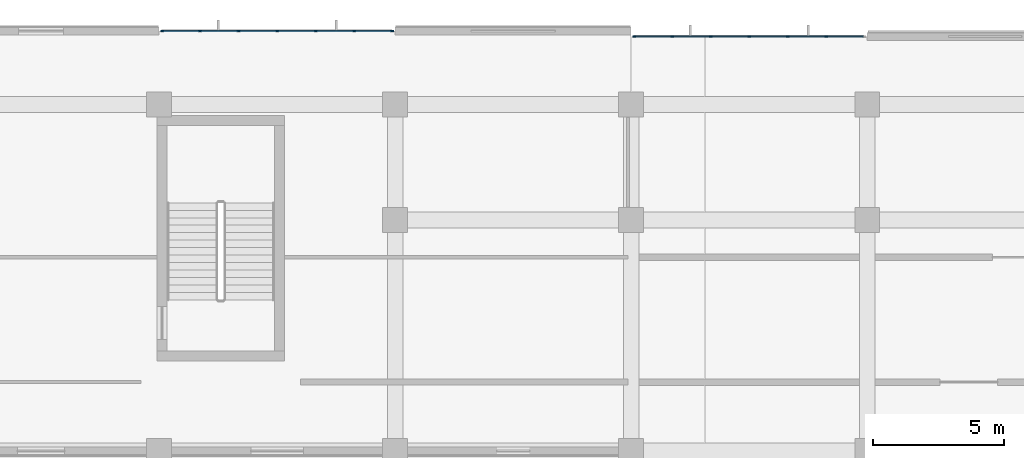
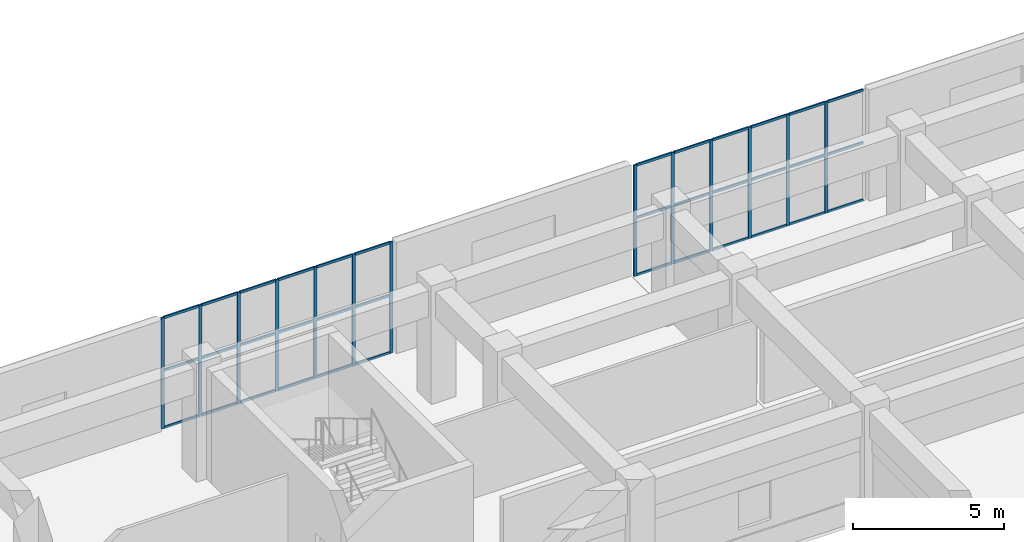
# One storey, part 33 of 86: 49 members, 2 elements without a shape of their own.
"""IFC4 building model written with IfcOpenShell, lengths in metres."""

from ifc_helpers import new_model, si_unit, direction, frame, origin, origin_2d, place, context, subcontext, project, spatial, rectangle, extrude, material, layer, layer_set, material_profile, profile_set, type_object, element, aggregate, save


model = new_model("IFC4")

# Units and contexts
model_context = context("Model", 3, precision=1e-05, world=origin(), true_north=direction((0.0, 1.0)))
body_context = subcontext(model_context, "Body", "Model", "MODEL_VIEW")
ifc_project = project(units=[si_unit("LENGTHUNIT", "METRE"), si_unit("AREAUNIT", "SQUARE_METRE"), si_unit("VOLUMEUNIT", "CUBIC_METRE"), si_unit("PLANEANGLEUNIT", "RADIAN"), si_unit("MASSUNIT", "GRAM", prefix="KILO")], contexts=[model_context])

# Site, building, storey
site_placement = place(None, origin())
site = spatial("IfcSite", under=ifc_project, at=site_placement, CompositionType="ELEMENT")
building_placement = place(site_placement, origin())
building = spatial("IfcBuilding", under=site, at=building_placement, Name="Cendralis Terraced Arcade", CompositionType="ELEMENT")
storey_placement = place(building_placement, frame((0.0, 0.0, 5.39990234375)))
storey = spatial("IfcBuildingStorey", under=building, at=storey_placement, Name="L01", CompositionType="ELEMENT", Elevation=5.39990234375)

# Curtain wall, members
ifc_material = material(Name="Anodised aluminium EN AW-6063 T6", Category="aluminium")
ifc_layer = layer(ifc_material, 0.1201171875, Name="CW-STORE-B")
ifc_layer_set = layer_set([ifc_layer], Name="Anodised aluminium EN AW-6063 T6")
curtain_wall_type = type_object("IfcCurtainWallType", Name="CW-STORE-B", PredefinedType="USERDEFINED", material=ifc_layer_set)
curtain_wall_1_placement = place(storey_placement, origin())
curtain_wall_1 = element("IfcCurtainWall", 1, at=curtain_wall_1_placement, inside=storey, type_object=curtain_wall_type, Name="Exterior Storefront Glazing CW-L01-0053", ObjectType="STOREFRONT GLAZING", PredefinedType="USERDEFINED")
ifc_material_profile_1 = material_profile(ifc_material, rectangle(XDim=0.054931640625, YDim=0.1201171875, at=origin_2d()), Name="ALU-MUL-55x120")
ifc_profile_set_1 = profile_set([ifc_material_profile_1], Name="Anodised aluminium EN AW-6063 T6")
member_type_1 = type_object("IfcMemberType", Name="CW-STORE-B-MUL", PredefinedType="MULLION", material=ifc_profile_set_1)
member_1_placement = place(storey_placement, frame((103.3173828125, 114.39990234375, 0.0), z_axis=(0.0, 0.0, 1.0), x_axis=(0.0, 1.0, 0.0)))
member_1 = element("IfcMember", 2, at=member_1_placement, type_object=member_type_1, Name="CW-S2 mullion 1", PredefinedType="MULLION", context=body_context, shape_type="SweptSolid", body=[
    extrude(rectangle(XDim=0.054931640625, YDim=0.1201171875, at=origin_2d()), origin(), (0.0, 0.0, 1.0), 4.505126953125),
])
member_2_placement = place(storey_placement, frame((104.760009765625, 114.39990234375, 0.0), z_axis=(0.0, 0.0, 1.0), x_axis=(0.0, 1.0, 0.0)))
member_2 = element("IfcMember", 3, at=member_2_placement, type_object=member_type_1, Name="CW-S2 mullion 2", PredefinedType="MULLION", context=body_context, shape_type="SweptSolid", body=[
    extrude(rectangle(XDim=0.054931640625, YDim=0.1201171875, at=origin_2d()), origin(), (0.0, 0.0, 1.0), 4.505126953125),
])
member_3_placement = place(storey_placement, frame((106.22998046875, 114.39990234375, 0.0), z_axis=(0.0, 0.0, 1.0), x_axis=(0.0, 1.0, 0.0)))
member_3 = element("IfcMember", 4, at=member_3_placement, type_object=member_type_1, Name="CW-S2 mullion 3", PredefinedType="MULLION", context=body_context, shape_type="SweptSolid", body=[
    extrude(rectangle(XDim=0.054931640625, YDim=0.1201171875, at=origin_2d()), origin(), (0.0, 0.0, 1.0), 4.505126953125),
])
member_4_placement = place(storey_placement, frame((107.699951171875, 114.39990234375, 0.0), z_axis=(0.0, 0.0, 1.0), x_axis=(0.0, 1.0, 0.0)))
member_4 = element("IfcMember", 5, at=member_4_placement, type_object=member_type_1, Name="CW-S2 mullion 4", PredefinedType="MULLION", context=body_context, shape_type="SweptSolid", body=[
    extrude(rectangle(XDim=0.054931640625, YDim=0.1201171875, at=origin_2d()), origin(), (0.0, 0.0, 1.0), 4.505126953125),
])
member_5_placement = place(storey_placement, frame((109.169921875, 114.39990234375, 0.0), z_axis=(0.0, 0.0, 1.0), x_axis=(0.0, 1.0, 0.0)))
member_5 = element("IfcMember", 6, at=member_5_placement, type_object=member_type_1, Name="CW-S2 mullion 5", PredefinedType="MULLION", context=body_context, shape_type="SweptSolid", body=[
    extrude(rectangle(XDim=0.054931640625, YDim=0.1201171875, at=origin_2d()), origin(), (0.0, 0.0, 1.0), 4.505126953125),
])
member_6_placement = place(storey_placement, frame((110.639892578125, 114.39990234375, 0.0), z_axis=(0.0, 0.0, 1.0), x_axis=(0.0, 1.0, 0.0)))
member_6 = element("IfcMember", 7, at=member_6_placement, type_object=member_type_1, Name="CW-S2 mullion 6", PredefinedType="MULLION", context=body_context, shape_type="SweptSolid", body=[
    extrude(rectangle(XDim=0.054931640625, YDim=0.1201171875, at=origin_2d()), origin(), (0.0, 0.0, 1.0), 4.505126953125),
])
member_7_placement = place(storey_placement, frame((112.08251953125, 114.39990234375, 0.0), z_axis=(0.0, 0.0, 1.0), x_axis=(0.0, 1.0, 0.0)))
member_7 = element("IfcMember", 8, at=member_7_placement, type_object=member_type_1, Name="CW-S2 mullion 7", PredefinedType="MULLION", context=body_context, shape_type="SweptSolid", body=[
    extrude(rectangle(XDim=0.054931640625, YDim=0.1201171875, at=origin_2d()), origin(), (0.0, 0.0, 1.0), 4.505126953125),
])

curtain_wall_2_placement = place(storey_placement, origin())
curtain_wall_2 = element("IfcCurtainWall", 9, at=curtain_wall_2_placement, inside=storey, type_object=curtain_wall_type, Name="Exterior Storefront Glazing CW-L01-0054", ObjectType="STOREFRONT GLAZING", PredefinedType="USERDEFINED")
member_8_placement = place(storey_placement, frame((121.3173828125, 114.199951171875, 0.0), z_axis=(0.0, 0.0, 1.0), x_axis=(0.0, 1.0, 0.0)))
member_8 = element("IfcMember", 10, at=member_8_placement, type_object=member_type_1, Name="CW-S2 mullion 1", PredefinedType="MULLION", context=body_context, shape_type="SweptSolid", body=[
    extrude(rectangle(XDim=0.054931640625, YDim=0.1201171875, at=origin_2d()), origin(), (0.0, 0.0, 1.0), 4.505126953125),
])
member_9_placement = place(storey_placement, frame((122.760009765625, 114.199951171875, 0.0), z_axis=(0.0, 0.0, 1.0), x_axis=(0.0, 1.0, 0.0)))
member_9 = element("IfcMember", 11, at=member_9_placement, type_object=member_type_1, Name="CW-S2 mullion 2", PredefinedType="MULLION", context=body_context, shape_type="SweptSolid", body=[
    extrude(rectangle(XDim=0.054931640625, YDim=0.1201171875, at=origin_2d()), origin(), (0.0, 0.0, 1.0), 4.505126953125),
])
member_10_placement = place(storey_placement, frame((124.22998046875, 114.199951171875, 0.0), z_axis=(0.0, 0.0, 1.0), x_axis=(0.0, 1.0, 0.0)))
member_10 = element("IfcMember", 12, at=member_10_placement, type_object=member_type_1, Name="CW-S2 mullion 3", PredefinedType="MULLION", context=body_context, shape_type="SweptSolid", body=[
    extrude(rectangle(XDim=0.054931640625, YDim=0.1201171875, at=origin_2d()), origin(), (0.0, 0.0, 1.0), 4.505126953125),
])
member_11_placement = place(storey_placement, frame((125.699951171875, 114.199951171875, 0.0), z_axis=(0.0, 0.0, 1.0), x_axis=(0.0, 1.0, 0.0)))
member_11 = element("IfcMember", 13, at=member_11_placement, type_object=member_type_1, Name="CW-S2 mullion 4", PredefinedType="MULLION", context=body_context, shape_type="SweptSolid", body=[
    extrude(rectangle(XDim=0.054931640625, YDim=0.1201171875, at=origin_2d()), origin(), (0.0, 0.0, 1.0), 4.505126953125),
])
member_12_placement = place(storey_placement, frame((127.169921875, 114.199951171875, 0.0), z_axis=(0.0, 0.0, 1.0), x_axis=(0.0, 1.0, 0.0)))
member_12 = element("IfcMember", 14, at=member_12_placement, type_object=member_type_1, Name="CW-S2 mullion 5", PredefinedType="MULLION", context=body_context, shape_type="SweptSolid", body=[
    extrude(rectangle(XDim=0.054931640625, YDim=0.1201171875, at=origin_2d()), origin(), (0.0, 0.0, 1.0), 4.505126953125),
])
member_13_placement = place(storey_placement, frame((128.639892578125, 114.199951171875, 0.0), z_axis=(0.0, 0.0, 1.0), x_axis=(0.0, 1.0, 0.0)))
member_13 = element("IfcMember", 15, at=member_13_placement, type_object=member_type_1, Name="CW-S2 mullion 6", PredefinedType="MULLION", context=body_context, shape_type="SweptSolid", body=[
    extrude(rectangle(XDim=0.054931640625, YDim=0.1201171875, at=origin_2d()), origin(), (0.0, 0.0, 1.0), 4.505126953125),
])

# Member
ifc_material_profile_2 = material_profile(ifc_material, rectangle(XDim=0.054931640625, YDim=0.10009765625, at=origin_2d()), Name="ALU-TRN-55x100")
ifc_profile_set_2 = profile_set([ifc_material_profile_2], Name="Anodised aluminium EN AW-6063 T6")
member_type_2 = type_object("IfcMemberType", Name="CW-STORE-B-TRN", PredefinedType="USERDEFINED", material=ifc_profile_set_2)
member_14_placement = place(storey_placement, frame((103.344970703125, 114.39990234375, 0.027587890625), z_axis=(1.0, 0.0, 0.0), x_axis=(0.0, 1.0, 0.0)))
member_14 = element("IfcMember", 16, at=member_14_placement, type_object=member_type_2, Name="CW-S2 transom 1.1", ObjectType="TRANSOM", PredefinedType="USERDEFINED", context=body_context, shape_type="SweptSolid", body=[
    extrude(rectangle(XDim=0.054931640625, YDim=0.10009765625, at=origin_2d()), origin(), (0.0, 0.0, 1.0), 1.387451171875),
])

member_15_placement = place(storey_placement, frame((103.344970703125, 114.39990234375, 2.3427734375), z_axis=(1.0, 0.0, 0.0), x_axis=(0.0, 1.0, 0.0)))
member_15 = element("IfcMember", 17, at=member_15_placement, type_object=member_type_2, Name="CW-S2 transom 1.2", ObjectType="TRANSOM", PredefinedType="USERDEFINED", context=body_context, shape_type="SweptSolid", body=[
    extrude(rectangle(XDim=0.054931640625, YDim=0.10009765625, at=origin_2d()), origin(), (0.0, 0.0, 1.0), 1.387451171875),
])

member_16_placement = place(storey_placement, frame((103.344970703125, 114.39990234375, 4.4775390625), z_axis=(1.0, 0.0, 0.0), x_axis=(0.0, 1.0, 0.0)))
member_16 = element("IfcMember", 18, at=member_16_placement, type_object=member_type_2, Name="CW-S2 transom 1.3", ObjectType="TRANSOM", PredefinedType="USERDEFINED", context=body_context, shape_type="SweptSolid", body=[
    extrude(rectangle(XDim=0.054931640625, YDim=0.10009765625, at=origin_2d()), origin(), (0.0, 0.0, 1.0), 1.387451171875),
])

member_17_placement = place(storey_placement, frame((104.78759765625, 114.39990234375, 0.027587890625), z_axis=(1.0, 0.0, 0.0), x_axis=(0.0, 1.0, 0.0)))
member_17 = element("IfcMember", 19, at=member_17_placement, type_object=member_type_2, Name="CW-S2 transom 2.1", ObjectType="TRANSOM", PredefinedType="USERDEFINED", context=body_context, shape_type="SweptSolid", body=[
    extrude(rectangle(XDim=0.054931640625, YDim=0.10009765625, at=origin_2d()), origin(), (0.0, 0.0, 1.0), 1.414794921875),
])

member_18_placement = place(storey_placement, frame((104.78759765625, 114.39990234375, 2.3427734375), z_axis=(1.0, 0.0, 0.0), x_axis=(0.0, 1.0, 0.0)))
member_18 = element("IfcMember", 20, at=member_18_placement, type_object=member_type_2, Name="CW-S2 transom 2.2", ObjectType="TRANSOM", PredefinedType="USERDEFINED", context=body_context, shape_type="SweptSolid", body=[
    extrude(rectangle(XDim=0.054931640625, YDim=0.10009765625, at=origin_2d()), origin(), (0.0, 0.0, 1.0), 1.414794921875),
])

member_19_placement = place(storey_placement, frame((104.78759765625, 114.39990234375, 4.4775390625), z_axis=(1.0, 0.0, 0.0), x_axis=(0.0, 1.0, 0.0)))
member_19 = element("IfcMember", 21, at=member_19_placement, type_object=member_type_2, Name="CW-S2 transom 2.3", ObjectType="TRANSOM", PredefinedType="USERDEFINED", context=body_context, shape_type="SweptSolid", body=[
    extrude(rectangle(XDim=0.054931640625, YDim=0.10009765625, at=origin_2d()), origin(), (0.0, 0.0, 1.0), 1.414794921875),
])

member_20_placement = place(storey_placement, frame((106.257568359375, 114.39990234375, 0.027587890625), z_axis=(1.0, 0.0, 0.0), x_axis=(0.0, 1.0, 0.0)))
member_20 = element("IfcMember", 22, at=member_20_placement, type_object=member_type_2, Name="CW-S2 transom 3.1", ObjectType="TRANSOM", PredefinedType="USERDEFINED", context=body_context, shape_type="SweptSolid", body=[
    extrude(rectangle(XDim=0.054931640625, YDim=0.10009765625, at=origin_2d()), origin(), (0.0, 0.0, 1.0), 1.4150390625),
])

member_21_placement = place(storey_placement, frame((106.257568359375, 114.39990234375, 2.3427734375), z_axis=(1.0, 0.0, 0.0), x_axis=(0.0, 1.0, 0.0)))
member_21 = element("IfcMember", 23, at=member_21_placement, type_object=member_type_2, Name="CW-S2 transom 3.2", ObjectType="TRANSOM", PredefinedType="USERDEFINED", context=body_context, shape_type="SweptSolid", body=[
    extrude(rectangle(XDim=0.054931640625, YDim=0.10009765625, at=origin_2d()), origin(), (0.0, 0.0, 1.0), 1.4150390625),
])

member_22_placement = place(storey_placement, frame((106.257568359375, 114.39990234375, 4.4775390625), z_axis=(1.0, 0.0, 0.0), x_axis=(0.0, 1.0, 0.0)))
member_22 = element("IfcMember", 24, at=member_22_placement, type_object=member_type_2, Name="CW-S2 transom 3.3", ObjectType="TRANSOM", PredefinedType="USERDEFINED", context=body_context, shape_type="SweptSolid", body=[
    extrude(rectangle(XDim=0.054931640625, YDim=0.10009765625, at=origin_2d()), origin(), (0.0, 0.0, 1.0), 1.4150390625),
])

member_23_placement = place(storey_placement, frame((107.7275390625, 114.39990234375, 0.027587890625), z_axis=(1.0, 0.0, 0.0), x_axis=(0.0, 1.0, 0.0)))
member_23 = element("IfcMember", 25, at=member_23_placement, type_object=member_type_2, Name="CW-S2 transom 4.1", ObjectType="TRANSOM", PredefinedType="USERDEFINED", context=body_context, shape_type="SweptSolid", body=[
    extrude(rectangle(XDim=0.054931640625, YDim=0.10009765625, at=origin_2d()), origin(), (0.0, 0.0, 1.0), 1.4150390625),
])

member_24_placement = place(storey_placement, frame((107.7275390625, 114.39990234375, 2.3427734375), z_axis=(1.0, 0.0, 0.0), x_axis=(0.0, 1.0, 0.0)))
member_24 = element("IfcMember", 26, at=member_24_placement, type_object=member_type_2, Name="CW-S2 transom 4.2", ObjectType="TRANSOM", PredefinedType="USERDEFINED", context=body_context, shape_type="SweptSolid", body=[
    extrude(rectangle(XDim=0.054931640625, YDim=0.10009765625, at=origin_2d()), origin(), (0.0, 0.0, 1.0), 1.4150390625),
])

member_25_placement = place(storey_placement, frame((107.7275390625, 114.39990234375, 4.4775390625), z_axis=(1.0, 0.0, 0.0), x_axis=(0.0, 1.0, 0.0)))
member_25 = element("IfcMember", 27, at=member_25_placement, type_object=member_type_2, Name="CW-S2 transom 4.3", ObjectType="TRANSOM", PredefinedType="USERDEFINED", context=body_context, shape_type="SweptSolid", body=[
    extrude(rectangle(XDim=0.054931640625, YDim=0.10009765625, at=origin_2d()), origin(), (0.0, 0.0, 1.0), 1.4150390625),
])

member_26_placement = place(storey_placement, frame((109.197509765625, 114.39990234375, 0.027587890625), z_axis=(1.0, 0.0, 0.0), x_axis=(0.0, 1.0, 0.0)))
member_26 = element("IfcMember", 28, at=member_26_placement, type_object=member_type_2, Name="CW-S2 transom 5.1", ObjectType="TRANSOM", PredefinedType="USERDEFINED", context=body_context, shape_type="SweptSolid", body=[
    extrude(rectangle(XDim=0.054931640625, YDim=0.10009765625, at=origin_2d()), origin(), (0.0, 0.0, 1.0), 1.4150390625),
])

member_27_placement = place(storey_placement, frame((109.197509765625, 114.39990234375, 2.3427734375), z_axis=(1.0, 0.0, 0.0), x_axis=(0.0, 1.0, 0.0)))
member_27 = element("IfcMember", 29, at=member_27_placement, type_object=member_type_2, Name="CW-S2 transom 5.2", ObjectType="TRANSOM", PredefinedType="USERDEFINED", context=body_context, shape_type="SweptSolid", body=[
    extrude(rectangle(XDim=0.054931640625, YDim=0.10009765625, at=origin_2d()), origin(), (0.0, 0.0, 1.0), 1.4150390625),
])

member_28_placement = place(storey_placement, frame((109.197509765625, 114.39990234375, 4.4775390625), z_axis=(1.0, 0.0, 0.0), x_axis=(0.0, 1.0, 0.0)))
member_28 = element("IfcMember", 30, at=member_28_placement, type_object=member_type_2, Name="CW-S2 transom 5.3", ObjectType="TRANSOM", PredefinedType="USERDEFINED", context=body_context, shape_type="SweptSolid", body=[
    extrude(rectangle(XDim=0.054931640625, YDim=0.10009765625, at=origin_2d()), origin(), (0.0, 0.0, 1.0), 1.4150390625),
])

member_29_placement = place(storey_placement, frame((110.66748046875, 114.39990234375, 0.027587890625), z_axis=(1.0, 0.0, 0.0), x_axis=(0.0, 1.0, 0.0)))
member_29 = element("IfcMember", 31, at=member_29_placement, type_object=member_type_2, Name="CW-S2 transom 6.1", ObjectType="TRANSOM", PredefinedType="USERDEFINED", context=body_context, shape_type="SweptSolid", body=[
    extrude(rectangle(XDim=0.054931640625, YDim=0.10009765625, at=origin_2d()), origin(), (0.0, 0.0, 1.0), 1.387451171875),
])

member_30_placement = place(storey_placement, frame((110.66748046875, 114.39990234375, 2.3427734375), z_axis=(1.0, 0.0, 0.0), x_axis=(0.0, 1.0, 0.0)))
member_30 = element("IfcMember", 32, at=member_30_placement, type_object=member_type_2, Name="CW-S2 transom 6.2", ObjectType="TRANSOM", PredefinedType="USERDEFINED", context=body_context, shape_type="SweptSolid", body=[
    extrude(rectangle(XDim=0.054931640625, YDim=0.10009765625, at=origin_2d()), origin(), (0.0, 0.0, 1.0), 1.387451171875),
])

member_31_placement = place(storey_placement, frame((110.66748046875, 114.39990234375, 4.4775390625), z_axis=(1.0, 0.0, 0.0), x_axis=(0.0, 1.0, 0.0)))
member_31 = element("IfcMember", 33, at=member_31_placement, type_object=member_type_2, Name="CW-S2 transom 6.3", ObjectType="TRANSOM", PredefinedType="USERDEFINED", context=body_context, shape_type="SweptSolid", body=[
    extrude(rectangle(XDim=0.054931640625, YDim=0.10009765625, at=origin_2d()), origin(), (0.0, 0.0, 1.0), 1.387451171875),
])

aggregate(curtain_wall_1, [member_1, member_2, member_3, member_4, member_5, member_6, member_7, member_14, member_15, member_16, member_17, member_18, member_19, member_20, member_21, member_22, member_23, member_24, member_25, member_26, member_27, member_28, member_29, member_30, member_31])

member_32_placement = place(storey_placement, frame((121.344970703125, 114.199951171875, 0.027587890625), z_axis=(1.0, 0.0, 0.0), x_axis=(0.0, 1.0, 0.0)))
member_32 = element("IfcMember", 34, at=member_32_placement, type_object=member_type_2, Name="CW-S2 transom 1.1", ObjectType="TRANSOM", PredefinedType="USERDEFINED", context=body_context, shape_type="SweptSolid", body=[
    extrude(rectangle(XDim=0.054931640625, YDim=0.10009765625, at=origin_2d()), origin(), (0.0, 0.0, 1.0), 1.387451171875),
])

member_33_placement = place(storey_placement, frame((121.344970703125, 114.199951171875, 2.3427734375), z_axis=(1.0, 0.0, 0.0), x_axis=(0.0, 1.0, 0.0)))
member_33 = element("IfcMember", 35, at=member_33_placement, type_object=member_type_2, Name="CW-S2 transom 1.2", ObjectType="TRANSOM", PredefinedType="USERDEFINED", context=body_context, shape_type="SweptSolid", body=[
    extrude(rectangle(XDim=0.054931640625, YDim=0.10009765625, at=origin_2d()), origin(), (0.0, 0.0, 1.0), 1.387451171875),
])

member_34_placement = place(storey_placement, frame((121.344970703125, 114.199951171875, 4.4775390625), z_axis=(1.0, 0.0, 0.0), x_axis=(0.0, 1.0, 0.0)))
member_34 = element("IfcMember", 36, at=member_34_placement, type_object=member_type_2, Name="CW-S2 transom 1.3", ObjectType="TRANSOM", PredefinedType="USERDEFINED", context=body_context, shape_type="SweptSolid", body=[
    extrude(rectangle(XDim=0.054931640625, YDim=0.10009765625, at=origin_2d()), origin(), (0.0, 0.0, 1.0), 1.387451171875),
])

member_35_placement = place(storey_placement, frame((122.78759765625, 114.199951171875, 0.027587890625), z_axis=(1.0, 0.0, 0.0), x_axis=(0.0, 1.0, 0.0)))
member_35 = element("IfcMember", 37, at=member_35_placement, type_object=member_type_2, Name="CW-S2 transom 2.1", ObjectType="TRANSOM", PredefinedType="USERDEFINED", context=body_context, shape_type="SweptSolid", body=[
    extrude(rectangle(XDim=0.054931640625, YDim=0.10009765625, at=origin_2d()), origin(), (0.0, 0.0, 1.0), 1.414794921875),
])

member_36_placement = place(storey_placement, frame((122.78759765625, 114.199951171875, 2.3427734375), z_axis=(1.0, 0.0, 0.0), x_axis=(0.0, 1.0, 0.0)))
member_36 = element("IfcMember", 38, at=member_36_placement, type_object=member_type_2, Name="CW-S2 transom 2.2", ObjectType="TRANSOM", PredefinedType="USERDEFINED", context=body_context, shape_type="SweptSolid", body=[
    extrude(rectangle(XDim=0.054931640625, YDim=0.10009765625, at=origin_2d()), origin(), (0.0, 0.0, 1.0), 1.414794921875),
])

member_37_placement = place(storey_placement, frame((122.78759765625, 114.199951171875, 4.4775390625), z_axis=(1.0, 0.0, 0.0), x_axis=(0.0, 1.0, 0.0)))
member_37 = element("IfcMember", 39, at=member_37_placement, type_object=member_type_2, Name="CW-S2 transom 2.3", ObjectType="TRANSOM", PredefinedType="USERDEFINED", context=body_context, shape_type="SweptSolid", body=[
    extrude(rectangle(XDim=0.054931640625, YDim=0.10009765625, at=origin_2d()), origin(), (0.0, 0.0, 1.0), 1.414794921875),
])

member_38_placement = place(storey_placement, frame((124.257568359375, 114.199951171875, 0.027587890625), z_axis=(1.0, 0.0, 0.0), x_axis=(0.0, 1.0, 0.0)))
member_38 = element("IfcMember", 40, at=member_38_placement, type_object=member_type_2, Name="CW-S2 transom 3.1", ObjectType="TRANSOM", PredefinedType="USERDEFINED", context=body_context, shape_type="SweptSolid", body=[
    extrude(rectangle(XDim=0.054931640625, YDim=0.10009765625, at=origin_2d()), origin(), (0.0, 0.0, 1.0), 1.4150390625),
])

member_39_placement = place(storey_placement, frame((124.257568359375, 114.199951171875, 2.3427734375), z_axis=(1.0, 0.0, 0.0), x_axis=(0.0, 1.0, 0.0)))
member_39 = element("IfcMember", 41, at=member_39_placement, type_object=member_type_2, Name="CW-S2 transom 3.2", ObjectType="TRANSOM", PredefinedType="USERDEFINED", context=body_context, shape_type="SweptSolid", body=[
    extrude(rectangle(XDim=0.054931640625, YDim=0.10009765625, at=origin_2d()), origin(), (0.0, 0.0, 1.0), 1.4150390625),
])

member_40_placement = place(storey_placement, frame((124.257568359375, 114.199951171875, 4.4775390625), z_axis=(1.0, 0.0, 0.0), x_axis=(0.0, 1.0, 0.0)))
member_40 = element("IfcMember", 42, at=member_40_placement, type_object=member_type_2, Name="CW-S2 transom 3.3", ObjectType="TRANSOM", PredefinedType="USERDEFINED", context=body_context, shape_type="SweptSolid", body=[
    extrude(rectangle(XDim=0.054931640625, YDim=0.10009765625, at=origin_2d()), origin(), (0.0, 0.0, 1.0), 1.4150390625),
])

member_41_placement = place(storey_placement, frame((125.7275390625, 114.199951171875, 0.027587890625), z_axis=(1.0, 0.0, 0.0), x_axis=(0.0, 1.0, 0.0)))
member_41 = element("IfcMember", 43, at=member_41_placement, type_object=member_type_2, Name="CW-S2 transom 4.1", ObjectType="TRANSOM", PredefinedType="USERDEFINED", context=body_context, shape_type="SweptSolid", body=[
    extrude(rectangle(XDim=0.054931640625, YDim=0.10009765625, at=origin_2d()), origin(), (0.0, 0.0, 1.0), 1.4150390625),
])

member_42_placement = place(storey_placement, frame((125.7275390625, 114.199951171875, 2.3427734375), z_axis=(1.0, 0.0, 0.0), x_axis=(0.0, 1.0, 0.0)))
member_42 = element("IfcMember", 44, at=member_42_placement, type_object=member_type_2, Name="CW-S2 transom 4.2", ObjectType="TRANSOM", PredefinedType="USERDEFINED", context=body_context, shape_type="SweptSolid", body=[
    extrude(rectangle(XDim=0.054931640625, YDim=0.10009765625, at=origin_2d()), origin(), (0.0, 0.0, 1.0), 1.4150390625),
])

member_43_placement = place(storey_placement, frame((125.7275390625, 114.199951171875, 4.4775390625), z_axis=(1.0, 0.0, 0.0), x_axis=(0.0, 1.0, 0.0)))
member_43 = element("IfcMember", 45, at=member_43_placement, type_object=member_type_2, Name="CW-S2 transom 4.3", ObjectType="TRANSOM", PredefinedType="USERDEFINED", context=body_context, shape_type="SweptSolid", body=[
    extrude(rectangle(XDim=0.054931640625, YDim=0.10009765625, at=origin_2d()), origin(), (0.0, 0.0, 1.0), 1.4150390625),
])

member_44_placement = place(storey_placement, frame((127.197509765625, 114.199951171875, 0.027587890625), z_axis=(1.0, 0.0, 0.0), x_axis=(0.0, 1.0, 0.0)))
member_44 = element("IfcMember", 46, at=member_44_placement, type_object=member_type_2, Name="CW-S2 transom 5.1", ObjectType="TRANSOM", PredefinedType="USERDEFINED", context=body_context, shape_type="SweptSolid", body=[
    extrude(rectangle(XDim=0.054931640625, YDim=0.10009765625, at=origin_2d()), origin(), (0.0, 0.0, 1.0), 1.4150390625),
])

member_45_placement = place(storey_placement, frame((127.197509765625, 114.199951171875, 2.3427734375), z_axis=(1.0, 0.0, 0.0), x_axis=(0.0, 1.0, 0.0)))
member_45 = element("IfcMember", 47, at=member_45_placement, type_object=member_type_2, Name="CW-S2 transom 5.2", ObjectType="TRANSOM", PredefinedType="USERDEFINED", context=body_context, shape_type="SweptSolid", body=[
    extrude(rectangle(XDim=0.054931640625, YDim=0.10009765625, at=origin_2d()), origin(), (0.0, 0.0, 1.0), 1.4150390625),
])

member_46_placement = place(storey_placement, frame((127.197509765625, 114.199951171875, 4.4775390625), z_axis=(1.0, 0.0, 0.0), x_axis=(0.0, 1.0, 0.0)))
member_46 = element("IfcMember", 48, at=member_46_placement, type_object=member_type_2, Name="CW-S2 transom 5.3", ObjectType="TRANSOM", PredefinedType="USERDEFINED", context=body_context, shape_type="SweptSolid", body=[
    extrude(rectangle(XDim=0.054931640625, YDim=0.10009765625, at=origin_2d()), origin(), (0.0, 0.0, 1.0), 1.4150390625),
])

member_47_placement = place(storey_placement, frame((128.66748046875, 114.199951171875, 0.027587890625), z_axis=(1.0, 0.0, 0.0), x_axis=(0.0, 1.0, 0.0)))
member_47 = element("IfcMember", 49, at=member_47_placement, type_object=member_type_2, Name="CW-S2 transom 6.1", ObjectType="TRANSOM", PredefinedType="USERDEFINED", context=body_context, shape_type="SweptSolid", body=[
    extrude(rectangle(XDim=0.054931640625, YDim=0.10009765625, at=origin_2d()), origin(), (0.0, 0.0, 1.0), 1.387451171875),
])

member_48_placement = place(storey_placement, frame((128.66748046875, 114.199951171875, 2.3427734375), z_axis=(1.0, 0.0, 0.0), x_axis=(0.0, 1.0, 0.0)))
member_48 = element("IfcMember", 50, at=member_48_placement, type_object=member_type_2, Name="CW-S2 transom 6.2", ObjectType="TRANSOM", PredefinedType="USERDEFINED", context=body_context, shape_type="SweptSolid", body=[
    extrude(rectangle(XDim=0.054931640625, YDim=0.10009765625, at=origin_2d()), origin(), (0.0, 0.0, 1.0), 1.387451171875),
])

member_49_placement = place(storey_placement, frame((128.66748046875, 114.199951171875, 4.4775390625), z_axis=(1.0, 0.0, 0.0), x_axis=(0.0, 1.0, 0.0)))
member_49 = element("IfcMember", 51, at=member_49_placement, type_object=member_type_2, Name="CW-S2 transom 6.3", ObjectType="TRANSOM", PredefinedType="USERDEFINED", context=body_context, shape_type="SweptSolid", body=[
    extrude(rectangle(XDim=0.054931640625, YDim=0.10009765625, at=origin_2d()), origin(), (0.0, 0.0, 1.0), 1.387451171875),
])

aggregate(curtain_wall_2, [member_8, member_9, member_10, member_11, member_12, member_13, member_32, member_33, member_34, member_35, member_36, member_37, member_38, member_39, member_40, member_41, member_42, member_43, member_44, member_45, member_46, member_47, member_48, member_49])

save(model, "model.ifc")
